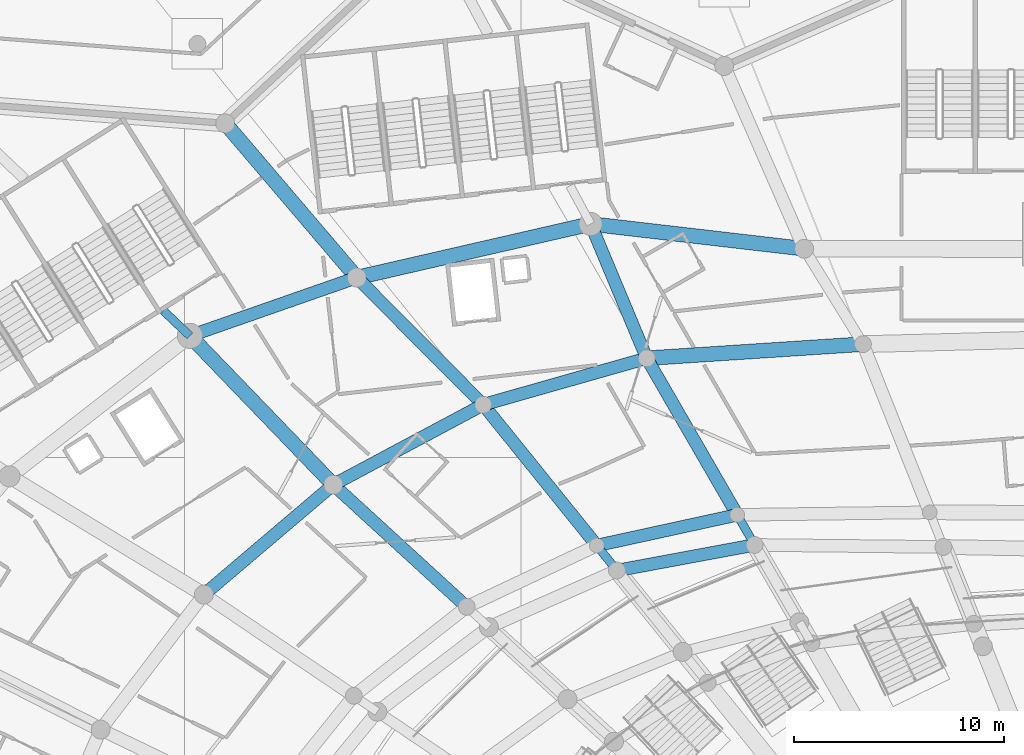
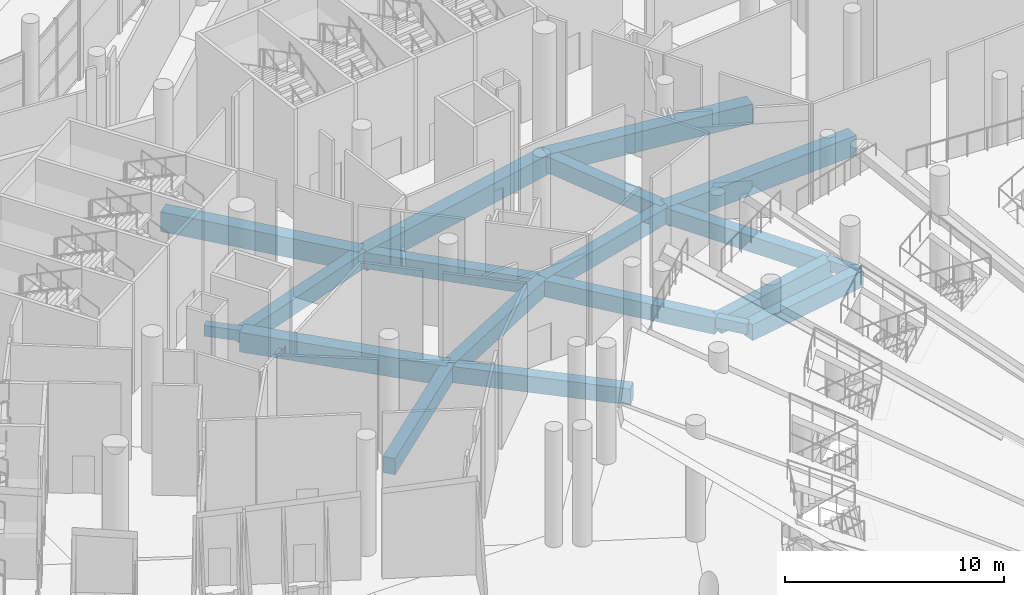
# One storey, part 51 of 255: 19 beams.
"""IFC4 building model written with IfcOpenShell, lengths in metres."""

from ifc_helpers import new_model, si_unit, direction, frame, origin, origin_2d, place, context, subcontext, project, spatial, rectangle, extrude, material, material_profile, profile_set, type_object, element, save


model = new_model("IFC4")

# Units and contexts
model_context = context("Model", 3, precision=1e-05, world=origin(), true_north=direction((0.0, 1.0)))
body_context = subcontext(model_context, "Body", "Model", "MODEL_VIEW")
ifc_project = project(units=[si_unit("LENGTHUNIT", "METRE"), si_unit("AREAUNIT", "SQUARE_METRE"), si_unit("VOLUMEUNIT", "CUBIC_METRE"), si_unit("PLANEANGLEUNIT", "RADIAN"), si_unit("MASSUNIT", "GRAM", prefix="KILO")], contexts=[model_context])

# Site, building, storey
site_placement = place(None, origin())
site = spatial("IfcSite", under=ifc_project, at=site_placement, CompositionType="ELEMENT")
building_placement = place(site_placement, origin())
building = spatial("IfcBuilding", under=site, at=building_placement, Name="Meseta Stadium", CompositionType="ELEMENT")
storey_placement = place(building_placement, origin())
storey = spatial("IfcBuildingStorey", under=building, at=storey_placement, Name="L00", CompositionType="ELEMENT", Elevation=0.0)

# Beams
ifc_material_1 = material(Name="Concrete C40/50", Category="concrete")
ifc_material_profile_1 = material_profile(ifc_material_1, rectangle(XDim=0.39990234375, YDim=0.60009765625, at=origin_2d()), Name="RC 400x600")
ifc_profile_set_1 = profile_set([ifc_material_profile_1], Name="Concrete C40/50")
beam_type_1 = type_object("IfcBeamType", Name="RC beam 400x600", PredefinedType="BEAM", material=ifc_profile_set_1)
beam_1_placement = place(storey_placement, frame((-36.885986328125, 75.8330078125, -0.699951171875), z_axis=(-0.500371262739, 0.865810949009, 0.0), x_axis=(-0.865810949009, -0.500371262739, 0.0)))
element("IfcBeam", 1, at=beam_1_placement, inside=storey, type_object=beam_type_1, Name="L00 radial beam frame 22 line C to D", PredefinedType="BEAM", context=body_context, shape_type="SweptSolid", body=[
    extrude(rectangle(XDim=0.39990234375, YDim=0.60009765625, at=origin_2d()), origin(), (0.0, 0.0, 1.0), 1.650146484375),
])
beam_2_placement = place(storey_placement, frame((-43.430419921875, 74.617431640625, -0.699951171875), z_axis=(-0.628002290607, 0.778211489887, 0.0), x_axis=(-0.778211489887, -0.628002290607, 0.0)))
element("IfcBeam", 2, at=beam_2_placement, inside=storey, type_object=beam_type_1, Name="L00 radial beam frame 23 line C to D", PredefinedType="BEAM", context=body_context, shape_type="SweptSolid", body=[
    extrude(rectangle(XDim=0.39990234375, YDim=0.60009765625, at=origin_2d()), origin(), (0.0, 0.0, 1.0), 1.52783203125),
])
beam_3_placement = place(storey_placement, frame((-63.731201171875, 85.77099609375, -0.699951171875), z_axis=(-0.725600801439, 0.688115889187, 0.0), x_axis=(-0.688115889187, -0.725600801439, 0.0)))
element("IfcBeam", 3, at=beam_3_placement, inside=storey, type_object=beam_type_1, Name="L00 radial beam frame 24 line P to R", PredefinedType="BEAM", context=body_context, shape_type="SweptSolid", body=[
    extrude(rectangle(XDim=0.39990234375, YDim=0.60009765625, at=origin_2d()), origin(), (0.0, 0.0, 1.0), 1.732421875),
])
ifc_material_2 = material(Name="Concrete C40/50", Category="concrete")
ifc_material_profile_2 = material_profile(ifc_material_2, rectangle(XDim=0.60009765625, YDim=0.89990234375, at=origin_2d()), Name="RC 600x900")
ifc_profile_set_2 = profile_set([ifc_material_profile_2], Name="Concrete C40/50")
beam_type_2 = type_object("IfcBeamType", Name="RC beam 600x900", PredefinedType="BEAM", material=ifc_profile_set_2)
beam_4_placement = place(storey_placement, frame((-36.885986328125, 75.8330078125, -0.85009765625), z_axis=(-0.983183844392, -0.182618531718, 0.0), x_axis=(0.182618531718, -0.983183844392, 0.0)))
element("IfcBeam", 4, at=beam_4_placement, inside=storey, type_object=beam_type_2, Name="L00 ring beam frame 22 line C", PredefinedType="BEAM", context=body_context, shape_type="SweptSolid", body=[
    extrude(rectangle(XDim=0.60009765625, YDim=0.89990234375, at=origin_2d()), origin(), (0.0, 0.0, 1.0), 6.65625),
])
beam_5_placement = place(storey_placement, frame((-37.711669921875, 77.26171875, -0.85009765625), z_axis=(-0.977068887475, -0.212923434899, 0.0), x_axis=(0.212923434899, -0.977068887475, 0.0)))
element("IfcBeam", 5, at=beam_5_placement, inside=storey, type_object=beam_type_2, Name="L00 ring beam frame 22 line D", PredefinedType="BEAM", context=body_context, shape_type="SweptSolid", body=[
    extrude(rectangle(XDim=0.60009765625, YDim=0.89990234375, at=origin_2d()), origin(), (0.0, 0.0, 1.0), 6.8349609375),
])
beam_6_placement = place(storey_placement, frame((-42.015380859375, 84.707275390625, -0.85009765625), z_axis=(-0.961951325549, -0.273220876351, 0.0), x_axis=(0.273220876351, -0.961951325549, 0.0)))
element("IfcBeam", 6, at=beam_6_placement, inside=storey, type_object=beam_type_2, Name="L00 ring beam frame 22 line E", PredefinedType="BEAM", context=body_context, shape_type="SweptSolid", body=[
    extrude(rectangle(XDim=0.60009765625, YDim=0.89990234375, at=origin_2d()), origin(), (0.0, 0.0, 1.0), 8.083251953125),
])
beam_7_placement = place(storey_placement, frame((-49.791015625, 82.498779296875, -0.85009765625), z_axis=(-0.882172948557, -0.47092556613, 0.0), x_axis=(0.47092556613, -0.882172948557, 0.0)))
element("IfcBeam", 7, at=beam_7_placement, inside=storey, type_object=beam_type_2, Name="L00 ring beam frame 23 line E", PredefinedType="BEAM", context=body_context, shape_type="SweptSolid", body=[
    extrude(rectangle(XDim=0.60009765625, YDim=0.89990234375, at=origin_2d()), origin(), (0.0, 0.0, 1.0), 8.075439453125),
])
beam_8_placement = place(storey_placement, frame((-55.799560546875, 88.541748046875, -0.85009765625), z_axis=(-0.944055708451, -0.329786020537, 0.0), x_axis=(0.329786020537, -0.944055708451, 0.0)))
element("IfcBeam", 8, at=beam_8_placement, inside=storey, type_object=beam_type_2, Name="L00 ring beam frame 23 line P", PredefinedType="BEAM", context=body_context, shape_type="SweptSolid", body=[
    extrude(rectangle(XDim=0.60009765625, YDim=0.89990234375, at=origin_2d()), origin(), (0.0, 0.0, 1.0), 8.401611328125),
])
beam_9_placement = place(storey_placement, frame((-56.9150390625, 78.69580078125, -0.85009765625), z_axis=(-0.762201166724, -0.647340236231, 0.0), x_axis=(0.647340236231, -0.762201166724, 0.0)))
element("IfcBeam", 9, at=beam_9_placement, inside=storey, type_object=beam_type_2, Name="L00 ring beam frame 24 line E", PredefinedType="BEAM", context=body_context, shape_type="SweptSolid", body=[
    extrude(rectangle(XDim=0.60009765625, YDim=0.89990234375, at=origin_2d()), origin(), (0.0, 0.0, 1.0), 8.07275390625),
])
beam_10_placement = place(storey_placement, frame((-37.711669921875, 77.26171875, -0.85009765625), z_axis=(-0.500437453612, 0.865772692467, 0.0), x_axis=(-0.865772692467, -0.500437453612, 0.0)))
element("IfcBeam", 10, at=beam_10_placement, inside=storey, type_object=beam_type_2, Name="L00 radial beam frame 22 line D to E", PredefinedType="BEAM", context=body_context, shape_type="SweptSolid", body=[
    extrude(rectangle(XDim=0.60009765625, YDim=0.89990234375, at=origin_2d()), origin(), (0.0, 0.0, 1.0), 8.599853515625),
])
beam_11_placement = place(storey_placement, frame((-42.015380859375, 84.707275390625, -0.85009765625), z_axis=(-0.385529780444, 0.922695393069, 0.0), x_axis=(-0.922695393069, -0.385529780444, 0.0)))
element("IfcBeam", 11, at=beam_11_placement, inside=storey, type_object=beam_type_2, Name="L00 radial beam frame 22 line E to P", PredefinedType="BEAM", context=body_context, shape_type="SweptSolid", body=[
    extrude(rectangle(XDim=0.60009765625, YDim=0.89990234375, at=origin_2d()), origin(), (0.0, 0.0, 1.0), 6.91845703125),
])
beam_12_placement = place(storey_placement, frame((-44.389892578125, 75.806396484375, -0.85009765625), z_axis=(-0.628037063111, 0.778183427836, 0.0), x_axis=(-0.778183427836, -0.628037063111, 0.0)))
element("IfcBeam", 12, at=beam_12_placement, inside=storey, type_object=beam_type_2, Name="L00 radial beam frame 23 line D to E", PredefinedType="BEAM", context=body_context, shape_type="SweptSolid", body=[
    extrude(rectangle(XDim=0.60009765625, YDim=0.89990234375, at=origin_2d()), origin(), (0.0, 0.0, 1.0), 8.60009765625),
])
beam_13_placement = place(storey_placement, frame((-49.791015625, 82.498779296875, -0.85009765625), z_axis=(-0.705084131782, 0.709123661366, 0.0), x_axis=(-0.709123661366, -0.705084131782, 0.0)))
element("IfcBeam", 13, at=beam_13_placement, inside=storey, type_object=beam_type_2, Name="L00 radial beam frame 23 line E to P", PredefinedType="BEAM", context=body_context, shape_type="SweptSolid", body=[
    extrude(rectangle(XDim=0.60009765625, YDim=0.89990234375, at=origin_2d()), origin(), (0.0, 0.0, 1.0), 8.521728515625),
])
beam_14_placement = place(storey_placement, frame((-50.571533203125, 72.888916015625, -0.85009765625), z_axis=(-0.737617073742, 0.675219262554, 0.0), x_axis=(-0.675219262554, -0.737617073742, 0.0)))
element("IfcBeam", 14, at=beam_14_placement, inside=storey, type_object=beam_type_2, Name="L00 radial beam frame 24 line D to E", PredefinedType="BEAM", context=body_context, shape_type="SweptSolid", body=[
    extrude(rectangle(XDim=0.60009765625, YDim=0.89990234375, at=origin_2d()), origin(), (0.0, 0.0, 1.0), 8.60009765625),
])
ifc_material_3 = material(Name="Concrete C40/50", Category="concrete")
ifc_material_profile_3 = material_profile(ifc_material_3, rectangle(XDim=0.699951171875, YDim=1.10009765625, at=origin_2d()), Name="RC 700x1100")
ifc_profile_set_3 = profile_set([ifc_material_profile_3], Name="Concrete C40/50")
beam_type_3 = type_object("IfcBeamType", Name="RC beam 700x1100", PredefinedType="BEAM", material=ifc_profile_set_3)
beam_15_placement = place(storey_placement, frame((-31.73681640625, 85.376708984375, -0.949951171875), z_axis=(-0.997885824096, -0.064991399959, 0.0), x_axis=(0.064991399959, -0.997885824096, 0.0)))
element("IfcBeam", 15, at=beam_15_placement, inside=storey, type_object=beam_type_3, Name="L00 ring beam frame 21 line E", PredefinedType="BEAM", context=body_context, shape_type="SweptSolid", body=[
    extrude(rectangle(XDim=0.699951171875, YDim=1.10009765625, at=origin_2d()), origin(), (0.0, 0.0, 1.0), 10.30029296875),
])
beam_16_placement = place(storey_placement, frame((-34.53076171875, 89.911865234375, -0.949951171875), z_axis=(-0.993324132456, 0.115356698466, 0.0), x_axis=(-0.115356698466, -0.993324132456, 0.0)))
element("IfcBeam", 16, at=beam_16_placement, inside=storey, type_object=beam_type_3, Name="L00 ring beam frame 21 line P", PredefinedType="BEAM", context=body_context, shape_type="SweptSolid", body=[
    extrude(rectangle(XDim=0.699951171875, YDim=1.10009765625, at=origin_2d()), origin(), (0.0, 0.0, 1.0), 10.219970703125),
])
beam_17_placement = place(storey_placement, frame((-44.6826171875, 91.0908203125, -0.949951171875), z_axis=(-0.974704832518, -0.22349606141, 0.0), x_axis=(0.22349606141, -0.974704832518, 0.0)))
element("IfcBeam", 17, at=beam_17_placement, inside=storey, type_object=beam_type_3, Name="L00 ring beam frame 22 line P", PredefinedType="BEAM", context=body_context, shape_type="SweptSolid", body=[
    extrude(rectangle(XDim=0.699951171875, YDim=1.10009765625, at=origin_2d()), origin(), (0.0, 0.0, 1.0), 11.405517578125),
])
beam_18_placement = place(storey_placement, frame((-55.799560546875, 88.541748046875, -0.949951171875), z_axis=(-0.648886206148, 0.760885465409, 0.0), x_axis=(-0.760885465409, -0.648886206148, 0.0)))
element("IfcBeam", 18, at=beam_18_placement, inside=storey, type_object=beam_type_3, Name="L00 radial beam frame 23 line P to R", PredefinedType="BEAM", context=body_context, shape_type="SweptSolid", body=[
    extrude(rectangle(XDim=0.699951171875, YDim=1.10009765625, at=origin_2d()), origin(), (0.0, 0.0, 1.0), 9.635009765625),
])
beam_19_placement = place(storey_placement, frame((-56.9150390625, 78.69580078125, -0.949951171875), z_axis=(-0.69380069558, 0.72016706035, 0.0), x_axis=(-0.72016706035, -0.69380069558, 0.0)))
element("IfcBeam", 19, at=beam_19_placement, inside=storey, type_object=beam_type_3, Name="L00 radial beam frame 24 line E to P", PredefinedType="BEAM", context=body_context, shape_type="SweptSolid", body=[
    extrude(rectangle(XDim=0.699951171875, YDim=1.10009765625, at=origin_2d()), origin(), (0.0, 0.0, 1.0), 9.824462890625),
])

save(model, "model.ifc")
